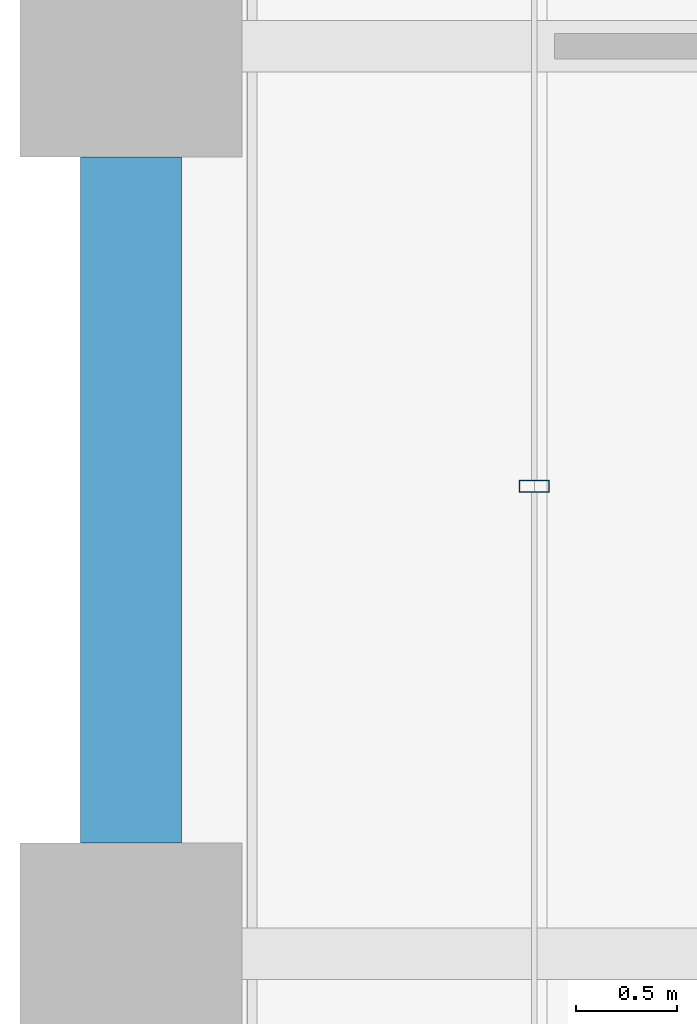
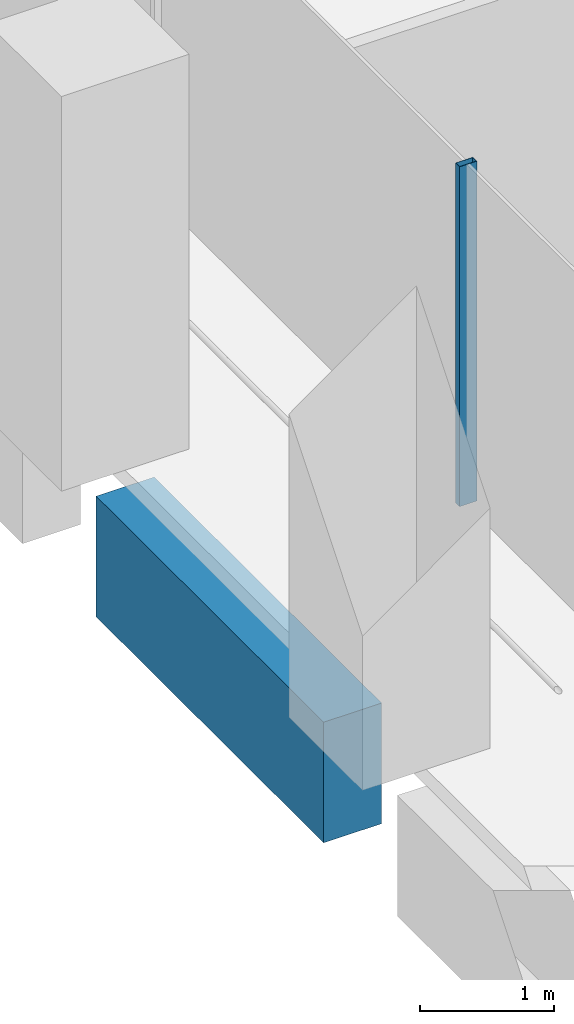
# One storey, part 12 of 56: 1 beam, 1 member, 1 element without a shape of its own.
"""IFC4 building model written with IfcOpenShell, lengths in metres."""

import ifcopenshell
import ifcopenshell.guid

model = None  # the IFC model being written
_history = None  # IfcOwnerHistory: only IFC2X3 demands one
_inside = {}  # id of a spatial element -> (the spatial element, [elements in it])
_under = {}  # id of a project, library or spatial element -> (it, [spatial elements below it])
_declared = {}  # id of a project -> (the project, [libraries it declares])
_typed = {}  # id of a type object -> (the type object, [elements of that type])
_made_of = {}  # id of a material, layer set ... -> (it, [elements and type objects made of it])


def new_model(schema):
    """Start an empty IFC model of exactly this schema.

    Asked for "IFC4X3", IfcOpenShell would pick the latest addendum, in which some entities
    have other attributes; the version numbers below select the first issue.
    IFC2X3 requires an IfcOwnerHistory on every rooted entity: one is made here for all.
    """
    global model, _history
    if schema == "IFC4X3":
        model = ifcopenshell.file(schema_version=(4, 3, 0, 0))
    else:
        model = ifcopenshell.file(schema=schema)
    _inside.clear()
    _under.clear()
    _declared.clear()
    _typed.clear()
    _made_of.clear()
    _history = None
    if model.schema == "IFC2X3":
        org = make("IfcOrganization", Name="unknown")
        user = make(
            "IfcPersonAndOrganization",
            ThePerson=make("IfcPerson", FamilyName="unknown"),
            TheOrganization=org,
        )
        app = make(
            "IfcApplication",
            ApplicationDeveloper=org,
            Version="unknown",
            ApplicationFullName="unknown",
            ApplicationIdentifier="unknown",
        )
        _history = make(
            "IfcOwnerHistory",
            OwningUser=user,
            OwningApplication=app,
            ChangeAction="ADDED",
            CreationDate=0,
        )
    return model


def make(cls, **values):
    """One entity of the class cls with the attributes given. An attribute that is None is left unset."""
    return model.create_entity(
        cls, **{name: value for name, value in values.items() if value is not None}
    )


def rooted(cls, **values):
    """An entity with a GlobalId (a new one), such as an element, a storey or a relation."""
    return make(cls, GlobalId=ifcopenshell.guid.new(), OwnerHistory=_history, **values)


def si_unit(unit_type, name, prefix=None):
    """IfcSIUnit, for example si_unit("LENGTHUNIT", "METRE", prefix="MILLI")."""
    return make("IfcSIUnit", UnitType=unit_type, Prefix=prefix, Name=name)


def assignment(units):
    """IfcUnitAssignment: the units of a project."""
    return None if units is None else make("IfcUnitAssignment", Units=units)


def point(xyz):
    """IfcCartesianPoint."""
    return None if xyz is None else make("IfcCartesianPoint", Coordinates=xyz)


def direction(xyz):
    """IfcDirection."""
    return None if xyz is None else make("IfcDirection", DirectionRatios=xyz)


def frame(location, z_axis=None, x_axis=None):
    """IfcAxis2Placement3D, a coordinate frame: its origin and axes. An axis left out is left unset."""
    return make(
        "IfcAxis2Placement3D",
        Location=point(location),
        Axis=direction(z_axis),
        RefDirection=direction(x_axis),
    )


def frame_2d(location, x_axis=None):
    """IfcAxis2Placement2D, a coordinate frame in the plane: its origin and x axis."""
    return make(
        "IfcAxis2Placement2D", Location=point(location), RefDirection=direction(x_axis)
    )


def origin():
    """The frame at (0, 0, 0) with its axes left unset."""
    return frame((0.0, 0.0, 0.0))


def origin_2d():
    """The frame at (0, 0) in the plane with its x axis left unset."""
    return frame_2d((0.0, 0.0))


def place(relative_to, where):
    """IfcLocalPlacement: puts the frame where relative to a parent placement (None: the world)."""
    return make(
        "IfcLocalPlacement", PlacementRelTo=relative_to, RelativePlacement=where
    )


def context(
    kind, dimensions, precision=None, world=None, true_north=None, identifier=None
):
    """IfcGeometricRepresentationContext, for example the 3D "Model" context."""
    return make(
        "IfcGeometricRepresentationContext",
        ContextIdentifier=identifier,
        ContextType=kind,
        CoordinateSpaceDimension=dimensions,
        Precision=precision,
        WorldCoordinateSystem=world,
        TrueNorth=true_north,
    )


def subcontext(parent, identifier, kind, view, scale=None):
    """IfcGeometricRepresentationSubContext, for example "Body" below "Model"."""
    return make(
        "IfcGeometricRepresentationSubContext",
        ContextIdentifier=identifier,
        ContextType=kind,
        ParentContext=parent,
        TargetScale=scale,
        TargetView=view,
    )


def project(units=None, contexts=None):
    """IfcProject with its units and contexts."""
    return rooted(
        "IfcProject",
        Name="project",
        RepresentationContexts=contexts,
        UnitsInContext=assignment(units),
    )


def spatial(cls, under=None, at=None, **own):
    """A site, building, storey or space (cls), placed at a placement, below another one or the project."""
    s = rooted(cls, ObjectPlacement=at, **own)
    if under is not None:
        _under.setdefault(under.id(), (under, []))[1].append(s)
    return s


def profile(cls, at=None, kind="AREA", **sizes):
    """A parametric profile (cls). Its sizes go by their IFC names, for example OverallWidth=200.0."""
    return make(cls, ProfileType=kind, Position=at, **sizes)


def rectangle(**sizes):
    """IfcRectangleProfileDef."""
    return profile("IfcRectangleProfileDef", **sizes)


def hollow_rectangle(**sizes):
    """IfcRectangleHollowProfileDef."""
    return profile("IfcRectangleHollowProfileDef", **sizes)


def extrude(swept, where, along, depth):
    """IfcExtrudedAreaSolid: the profile swept, set in the frame where, extruded along a direction by depth."""
    return make(
        "IfcExtrudedAreaSolid",
        SweptArea=swept,
        Position=where,
        ExtrudedDirection=direction(along),
        Depth=depth,
    )


def shape(context_of_items, identifier, shape_type, items):
    """IfcShapeRepresentation: the items that make up one representation, for example the "Body"."""
    return make(
        "IfcShapeRepresentation",
        ContextOfItems=context_of_items,
        RepresentationIdentifier=identifier,
        RepresentationType=shape_type,
        Items=items,
    )


def material(Name=None, Category=None):
    """IfcMaterial."""
    return make("IfcMaterial", Name=Name, Category=Category)


def material_profile(
    of_material, cross_section, Name=None, Category=None, Priority=None
):
    """IfcMaterialProfile: a cross section and its material."""
    return make(
        "IfcMaterialProfile",
        Name=Name,
        Material=of_material,
        Profile=cross_section,
        Priority=Priority,
        Category=Category,
    )


def profile_set(profiles, Name=None, composite=None):
    """IfcMaterialProfileSet."""
    return make(
        "IfcMaterialProfileSet",
        Name=Name,
        MaterialProfiles=profiles,
        CompositeProfile=composite,
    )


def made_of(thing, what):
    """Note that an element or type object is made of a material, layer set ...; save() writes the relation."""
    if what is not None:
        _made_of.setdefault(what.id(), (what, []))[1].append(thing)
    return thing


def type_object(cls, material=None, **own):
    """A type object (cls), such as IfcWallType, which elements share."""
    return made_of(rooted(cls, **own), material)


def element(
    cls,
    number,
    at=None,
    inside=None,
    cuts=None,
    type_object=None,
    material=None,
    context=None,
    identifier="Body",
    shape_type=None,
    held_by="IfcProductDefinitionShape",
    body=None,
    shapes=None,
    **own,
):
    """One element of the class cls, such as IfcWall. Its Tag is "e" and its number.

    at: its placement. inside: the storey or other place that contains it. cuts: it is an
    opening in that element (IfcRelVoidsElement). A single representation is given by context,
    identifier, shape_type and body (its items); several are given by shapes. held_by: the class
    of the entity that holds the representations. save() writes the other relations.
    """
    e = rooted(cls, Tag="e%d" % number, ObjectPlacement=at, **own)
    if body is not None:
        shapes = [shape(context, identifier, shape_type, body)]
    if shapes is not None:
        e.Representation = make(held_by, Representations=shapes)
    if inside is not None:
        _inside.setdefault(inside.id(), (inside, []))[1].append(e)
    if cuts is not None:
        rooted(
            "IfcRelVoidsElement", RelatingBuildingElement=cuts, RelatedOpeningElement=e
        )
    if type_object is not None:
        _typed.setdefault(type_object.id(), (type_object, []))[1].append(e)
    return made_of(e, material)


def aggregate(whole, parts):
    """IfcRelAggregates: a whole, such as a stair, and the parts it consists of."""
    return rooted("IfcRelAggregates", RelatingObject=whole, RelatedObjects=parts)


def save(model, path):
    """Write the relations noted so far, then the file.

    IfcRelAggregates (storeys below a building ...), IfcRelContainedInSpatialStructure (elements
    in a storey), IfcRelDefinesByType, IfcRelAssociatesMaterial and IfcRelDeclares: one each for
    every whole, place, type object, material and project.
    """
    for whole, parts in _under.values():
        aggregate(whole, parts)
    for where, things in _inside.values():
        rooted(
            "IfcRelContainedInSpatialStructure",
            RelatedElements=things,
            RelatingStructure=where,
        )
    for kind, things in _typed.values():
        rooted("IfcRelDefinesByType", RelatedObjects=things, RelatingType=kind)
    for what, things in _made_of.values():
        rooted("IfcRelAssociatesMaterial", RelatedObjects=things, RelatingMaterial=what)
    for by, libraries in _declared.values():
        rooted("IfcRelDeclares", RelatingContext=by, RelatedDefinitions=libraries)
    model.write(path)


model = new_model("IFC4")

# Units and contexts
model_context = context("Model", 3, precision=1e-05, world=origin(), true_north=direction((0.0, 1.0)))
body_context = subcontext(model_context, "Body", "Model", "MODEL_VIEW")
ifc_project = project(units=[si_unit("LENGTHUNIT", "METRE"), si_unit("AREAUNIT", "SQUARE_METRE"), si_unit("VOLUMEUNIT", "CUBIC_METRE"), si_unit("PLANEANGLEUNIT", "RADIAN"), si_unit("MASSUNIT", "GRAM", prefix="KILO")], contexts=[model_context])

# Site, building, storey
site_placement = place(None, origin())
site = spatial("IfcSite", under=ifc_project, at=site_placement, CompositionType="ELEMENT")
building_placement = place(site_placement, origin())
building = spatial("IfcBuilding", under=site, at=building_placement, Name="Altepetl Exchange Towers", CompositionType="ELEMENT")
storey_placement = place(building_placement, frame((0.0, 0.0, 51.0)))
storey = spatial("IfcBuildingStorey", under=building, at=storey_placement, Name="L11", CompositionType="ELEMENT", Elevation=51.0)

# Curtain wall, member
ifc_material_1 = material(Name="Aluminium 6063-T6 glazing", Category="aluminium")
curtain_wall_type = type_object("IfcCurtainWallType", Name="Loggia glazing system", PredefinedType="NOTDEFINED", material=ifc_material_1)
curtain_wall_placement = place(storey_placement, origin())
curtain_wall = element("IfcCurtainWall", 1, at=curtain_wall_placement, inside=storey, type_object=curtain_wall_type, Name="CW1 run", PredefinedType="NOTDEFINED")
ifc_material_2 = material(Name="Aluminium 6063-T6", Category="aluminium")
ifc_material_profile_1 = material_profile(ifc_material_2, hollow_rectangle(XDim=0.06005859375, YDim=0.14990234375, WallThickness=0.0029296875, at=origin_2d()), Name="Mullion 60x150 aluminium")
ifc_profile_set_1 = profile_set([ifc_material_profile_1], Name="Aluminium 6063-T6")
member_type = type_object("IfcMemberType", Name="Mullion 60x150 aluminium", PredefinedType="MULLION", material=ifc_profile_set_1)
member_placement = place(storey_placement, frame((29.0, 51.81787109375, 0.0), z_axis=(0.0, 0.0, 1.0), x_axis=(0.0, -1.0, 0.0)))
member = element("IfcMember", 2, at=member_placement, type_object=member_type, Name="MU1 mullion", PredefinedType="MULLION", context=body_context, shape_type="SweptSolid", body=[
    extrude(hollow_rectangle(XDim=0.06005859375, YDim=0.14990234375, WallThickness=0.0029296875, at=origin_2d()), origin(), (0.0, 0.0, 1.0), 3.10009765625),
])
aggregate(curtain_wall, [member])

# Beam
ifc_material_3 = material(Name="Concrete C50/60 precast with tezontle facing", Category="concrete")
ifc_material_profile_2 = material_profile(ifc_material_3, rectangle(XDim=0.5, YDim=1.10009765625, at=origin_2d()), Name="500 x 1100")
ifc_profile_set_2 = profile_set([ifc_material_profile_2], Name="Concrete C50/60 precast with tezontle facing")
beam_type = type_object("IfcBeamType", Name="Spandrel beam 500x1100 tezontle", PredefinedType="SPANDREL", material=ifc_profile_set_2)
beam_placement = place(storey_placement, frame((27.0, 53.449951171875, -0.699951171875), z_axis=(0.0, -1.0, 0.0), x_axis=(1.0, 0.0, 0.0)))
element("IfcBeam", 3, at=beam_placement, inside=storey, type_object=beam_type, Name="sp:A:L11:039", PredefinedType="SPANDREL", context=body_context, shape_type="SweptSolid", body=[
    extrude(rectangle(XDim=0.5, YDim=1.10009765625, at=origin_2d()), origin(), (0.0, 0.0, 1.0), 3.39990234375),
])

save(model, "model.ifc")
